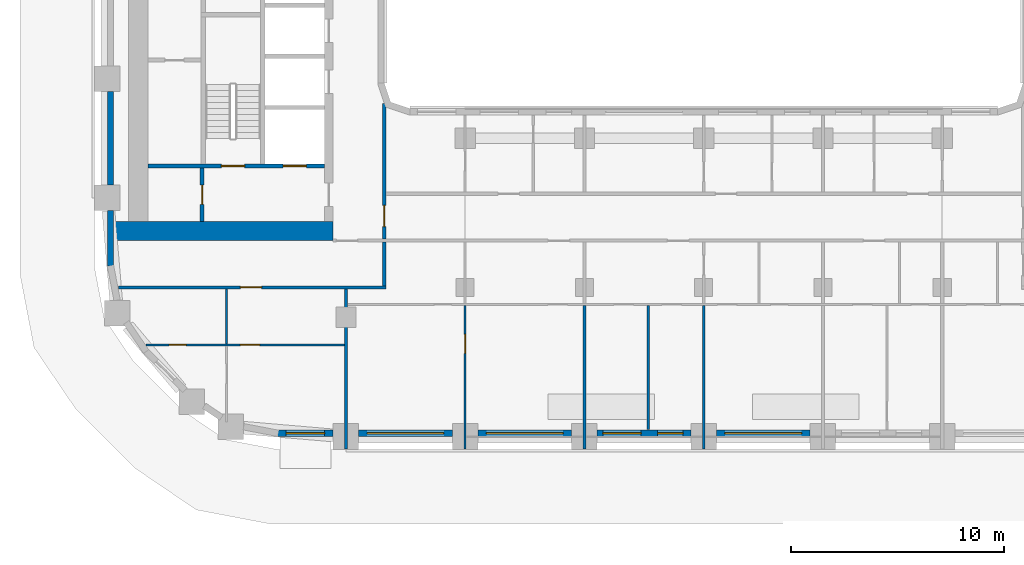
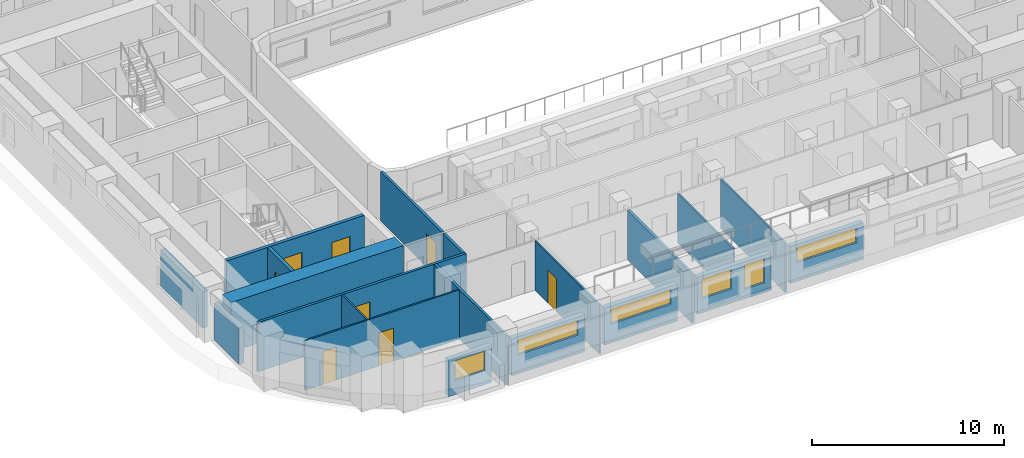
# One storey, part 3 of 18: 20 walls, 8 doors, 6 windows, 14 openings.
"""IFC4 building model written with IfcOpenShell, lengths in metres."""

from ifc_helpers import new_model, si_unit, direction, frame, frame_2d, origin, place, context, subcontext, project, spatial, rectangle, extrude, material, layer, layer_set, type_object, element, fill, save


model = new_model("IFC4")

# Units and contexts
model_context = context("Model", 3, precision=1e-05, world=origin(), true_north=direction((0.0, 1.0)))
body_context = subcontext(model_context, "Body", "Model", "MODEL_VIEW")
ifc_project = project(units=[si_unit("LENGTHUNIT", "METRE"), si_unit("AREAUNIT", "SQUARE_METRE"), si_unit("VOLUMEUNIT", "CUBIC_METRE"), si_unit("PLANEANGLEUNIT", "RADIAN"), si_unit("MASSUNIT", "GRAM", prefix="KILO")], contexts=[model_context])

# Site, building, storey
site_placement = place(None, origin())
site = spatial("IfcSite", under=ifc_project, at=site_placement, CompositionType="ELEMENT")
building_placement = place(site_placement, origin())
building = spatial("IfcBuilding", under=site, at=building_placement, Name="Kiln Ring Residences", CompositionType="ELEMENT")
storey_placement = place(building_placement, frame((0.0, 0.0, 121.800048828125)))
storey = spatial("IfcBuildingStorey", under=building, at=storey_placement, Name="L31", CompositionType="ELEMENT", Elevation=121.800048828125)

# Wall, opening, door
ifc_material_1 = material(Name="Gypsum board on steel studs", Category="steel")
ifc_layer_1 = layer(ifc_material_1, 0.199951171875)
ifc_layer_set_1 = layer_set([ifc_layer_1], Name="CORE-PARTITION-200")
wall_type_1 = type_object("IfcWallType", Name="CORE-PARTITION-200", PredefinedType="PARTITIONING", material=ifc_layer_set_1)
wall_1_placement = place(storey_placement, frame((-23.550048828125, -12.300048828125, 0.0), z_axis=(0.0, 0.0, 1.0), x_axis=(0.0, 1.0, 0.0)))
wall_1 = element("IfcWall", 1, at=wall_1_placement, inside=storey, type_object=wall_type_1, Name="Core partition west L31 4", PredefinedType="PARTITIONING", context=body_context, shape_type="SweptSolid", body=[
    extrude(rectangle(XDim=2.5, YDim=0.199951171875, at=frame_2d((1.25, 0.0))), origin(), (0.0, 0.0, 1.0), 3.14990234375),
])
opening_1_placement = place(wall_1_placement, frame((0.800048828125, 0.0, 0.0)))
opening_1 = element("IfcOpeningElement", 2, at=opening_1_placement, cuts=wall_1, Name="Opening L31-CW09", PredefinedType="OPENING", context=body_context, shape_type="SweptSolid", body=[
    extrude(rectangle(XDim=0.89990234375, YDim=2.10009765625, at=frame_2d((0.449951171875, 1.050048828125))), frame((0.0, 0.10986328125, 0.0), z_axis=(0.0, -1.0, 0.0), x_axis=(1.0, 0.0, 0.0)), (0.0, 0.0, 1.0), 0.219970703125),
])
ifc_material_2 = material(Name="Steel door leaf", Category="steel")
door_type_1 = type_object("IfcDoorType", Name="CORE-DOOR-ROOM", OperationType="SINGLE_SWING_LEFT", PredefinedType="DOOR", material=ifc_material_2)
door_1_placement = place(opening_1_placement, origin())
door_1 = element("IfcDoor", 3, at=door_1_placement, inside=storey, type_object=door_type_1, Name="Store L31-CW09", OperationType="SINGLE_SWING_LEFT", OverallHeight=2.10009765625, OverallWidth=0.89990234375, PredefinedType="DOOR", context=body_context, shape_type="SweptSolid", body=[
    extrude(rectangle(XDim=0.89990234375, YDim=2.10009765625, at=frame_2d((0.449951171875, 1.050048828125))), frame((0.0, 0.02490234375, 0.0), z_axis=(0.0, -1.0, 0.0), x_axis=(1.0, 0.0, 0.0)), (0.0, 0.0, 1.0), 0.050048828125),
])
fill(opening_1, door_1)

# Wall, openings, doors
ifc_material_3 = material(Name="Concrete C40/50", Category="concrete")
ifc_layer_2 = layer(ifc_material_3, 0.199951171875)
ifc_layer_set_2 = layer_set([ifc_layer_2], Name="CORE-WALL-RC200")
wall_type_2 = type_object("IfcWallType", Name="CORE-WALL-RC200", PredefinedType="SHEAR", material=ifc_layer_set_2)
wall_2_placement = place(storey_placement, frame((-17.800048828125, -9.699951171875, 0.0), z_axis=(0.0, 0.0, 1.0), x_axis=(-1.0, 0.0, 0.0)))
wall_2 = element("IfcWall", 4, at=wall_2_placement, inside=storey, type_object=wall_type_2, Name="Core wall west L31 8", PredefinedType="SHEAR", context=body_context, shape_type="SweptSolid", body=[
    extrude(rectangle(XDim=8.300048828125, YDim=0.199951171875, at=frame_2d((4.14990234375, 0.0))), origin(), (0.0, 0.0, 1.0), 3.14990234375),
])
opening_2_placement = place(wall_2_placement, frame((0.85009765625, 0.0, 0.0)))
opening_2 = element("IfcOpeningElement", 5, at=opening_2_placement, cuts=wall_2, Name="Opening L31-CW01", PredefinedType="OPENING", context=body_context, shape_type="SweptSolid", body=[
    extrude(rectangle(XDim=1.10009765625, YDim=2.10009765625, at=frame_2d((0.550048828125, 1.050048828125))), frame((0.0, 0.10986328125, 0.0), z_axis=(0.0, -1.0, 0.0), x_axis=(1.0, 0.0, 0.0)), (0.0, 0.0, 1.0), 0.219970703125),
])
opening_3_placement = place(wall_2_placement, frame((3.75, 0.0, 0.0)))
opening_3 = element("IfcOpeningElement", 6, at=opening_3_placement, cuts=wall_2, Name="Opening L31-CW11", PredefinedType="OPENING", context=body_context, shape_type="SweptSolid", body=[
    extrude(rectangle(XDim=1.10009765625, YDim=2.10009765625, at=frame_2d((0.550048828125, 1.050048828125))), frame((0.0, 0.10986328125, 0.0), z_axis=(0.0, -1.0, 0.0), x_axis=(1.0, 0.0, 0.0)), (0.0, 0.0, 1.0), 0.219970703125),
])
ifc_material_4 = material(Name="Steel door leaf", Category="steel")
door_type_2 = type_object("IfcDoorType", Name="CORE-DOOR-LD", OperationType="DOUBLE_DOOR_SLIDING", PredefinedType="DOOR", material=ifc_material_4)
door_2_placement = place(opening_2_placement, origin())
door_2 = element("IfcDoor", 7, at=door_2_placement, inside=storey, type_object=door_type_2, Name="LD W-SV L31-CW01", OperationType="DOUBLE_DOOR_SLIDING", OverallHeight=2.10009765625, OverallWidth=1.10009765625, PredefinedType="DOOR", context=body_context, shape_type="SweptSolid", body=[
    extrude(rectangle(XDim=1.10009765625, YDim=2.10009765625, at=frame_2d((0.550048828125, 1.050048828125))), frame((0.0, 0.02490234375, 0.0), z_axis=(0.0, -1.0, 0.0), x_axis=(1.0, 0.0, 0.0)), (0.0, 0.0, 1.0), 0.050048828125),
])
fill(opening_2, door_2)
ifc_material_5 = material(Name="Steel door leaf", Category="steel")
door_type_3 = type_object("IfcDoorType", Name="CORE-DOOR-STAIR", OperationType="SINGLE_SWING_LEFT", PredefinedType="DOOR", material=ifc_material_5)
door_3_placement = place(opening_3_placement, origin())
door_3 = element("IfcDoor", 8, at=door_3_placement, inside=storey, type_object=door_type_3, Name="Stair W-STS L31-CW11", OperationType="SINGLE_SWING_RIGHT", OverallHeight=2.10009765625, OverallWidth=1.10009765625, PredefinedType="DOOR", context=body_context, shape_type="SweptSolid", body=[
    extrude(rectangle(XDim=1.10009765625, YDim=2.10009765625, at=frame_2d((0.550048828125, 1.050048828125))), frame((0.0, 0.02490234375, 0.0), z_axis=(0.0, -1.0, 0.0), x_axis=(1.0, 0.0, 0.0)), (0.0, 0.0, 1.0), 0.050048828125),
])
fill(opening_3, door_3)

# Wall
ifc_material_6 = material(Name="Concrete C60/75", Category="concrete")
ifc_layer_3 = layer(ifc_material_6, 0.89990234375)
ifc_layer_set_3 = layer_set([ifc_layer_3], Name="CORE-WALL-RC900")
wall_type_3 = type_object("IfcWallType", Name="CORE-WALL-RC900", PredefinedType="SHEAR", material=ifc_layer_set_3)
wall_3_placement = place(storey_placement, frame((-17.39990234375, -12.75, 0.0), z_axis=(0.0, 0.0, 1.0), x_axis=(-1.0, 0.0, 0.0)))
element("IfcWall", 9, at=wall_3_placement, inside=storey, type_object=wall_type_3, Name="Core wall west L31 5", PredefinedType="SHEAR", context=body_context, shape_type="SweptSolid", body=[
    extrude(rectangle(XDim=10.400146484375, YDim=0.89990234375, at=frame_2d((5.2001953125, 0.0))), origin(), (0.0, 0.0, 1.0), 3.14990234375),
])

# Wall, opening, window
ifc_material_7 = material(Name="Brick masonry, dark clay brick", Category="masonry")
ifc_layer_4 = layer(ifc_material_7, 0.300048828125)
ifc_layer_set_4 = layer_set([ifc_layer_4], Name="EW-300 BRICK WALL")
wall_type_4 = type_object("IfcWallType", Name="EW-300 BRICK WALL", PredefinedType="SOLIDWALL", material=ifc_layer_set_4)
wall_4_placement = place(storey_placement, frame((-20.0, -22.25, 0.0), z_axis=(0.0, 0.0, 1.0), x_axis=(1.0, 0.0, 0.0)))
wall_4 = element("IfcWall", 10, at=wall_4_placement, inside=storey, type_object=wall_type_4, Name="Facade wall L31 4", PredefinedType="SOLIDWALL", context=body_context, shape_type="SweptSolid", body=[
    extrude(rectangle(XDim=2.60009765625, YDim=0.300048828125, at=frame_2d((1.300048828125, 0.0))), origin(), (0.0, 0.0, 1.0), 2.349853515625),
])
opening_4_placement = place(wall_4_placement, frame((0.39990234375, 0.0, 0.89990234375)))
opening_4 = element("IfcOpeningElement", 11, at=opening_4_placement, cuts=wall_4, Name="Opening W2", PredefinedType="OPENING", context=body_context, shape_type="SweptSolid", body=[
    extrude(rectangle(XDim=1.800048828125, YDim=1.25, at=frame_2d((0.89990234375, 0.625))), frame((0.0, 0.159912109375, 0.0), z_axis=(0.0, -1.0, 0.0), x_axis=(1.0, 0.0, 0.0)), (0.0, 0.0, 1.0), 0.320068359375),
])
ifc_material_8 = material(Name="Aluminium frame with double glazing", Category="aluminium")
window_type_1 = type_object("IfcWindowType", Name="WINDOW 1800 x 1250", PartitioningType="SINGLE_PANEL", PredefinedType="WINDOW", material=ifc_material_8)
window_1_placement = place(opening_4_placement, origin())
window_1 = element("IfcWindow", 12, at=window_1_placement, inside=storey, type_object=window_type_1, Name="Window L31 2", OverallHeight=1.25, OverallWidth=1.800048828125, PartitioningType="SINGLE_PANEL", PredefinedType="WINDOW", context=body_context, shape_type="SweptSolid", body=[
    extrude(rectangle(XDim=1.800048828125, YDim=1.25, at=frame_2d((0.89990234375, 0.625))), frame((0.0, 0.030029296875, 0.0), z_axis=(0.0, -1.0, 0.0), x_axis=(1.0, 0.0, 0.0)), (0.0, 0.0, 1.0), 0.06005859375),
])
fill(opening_4, window_1)

wall_5_placement = place(storey_placement, frame((-16.199951171875, -22.25, 0.0), z_axis=(0.0, 0.0, 1.0), x_axis=(1.0, 0.0, 0.0)))
wall_5 = element("IfcWall", 13, at=wall_5_placement, inside=storey, type_object=wall_type_4, Name="Facade wall L31 5", PredefinedType="SOLIDWALL", context=body_context, shape_type="SweptSolid", body=[
    extrude(rectangle(XDim=4.39990234375, YDim=0.300048828125, at=frame_2d((2.199951171875, 0.0))), origin(), (0.0, 0.0, 1.0), 2.349853515625),
])
opening_5_placement = place(wall_5_placement, frame((0.39990234375, 0.0, 1.199951171875)))
opening_5 = element("IfcOpeningElement", 14, at=opening_5_placement, cuts=wall_5, Name="Opening W4", PredefinedType="OPENING", context=body_context, shape_type="SweptSolid", body=[
    extrude(rectangle(XDim=3.60009765625, YDim=0.949951171875, at=frame_2d((1.800048828125, 0.47509765625))), frame((0.0, 0.159912109375, 0.0), z_axis=(0.0, -1.0, 0.0), x_axis=(1.0, 0.0, 0.0)), (0.0, 0.0, 1.0), 0.320068359375),
])
ifc_material_9 = material(Name="Aluminium frame with double glazing", Category="aluminium")
window_type_2 = type_object("IfcWindowType", Name="WINDOW 3600 x 950", PartitioningType="SINGLE_PANEL", PredefinedType="WINDOW", material=ifc_material_9)
window_2_placement = place(opening_5_placement, origin())
window_2 = element("IfcWindow", 15, at=window_2_placement, inside=storey, type_object=window_type_2, Name="Window L31 3", OverallHeight=0.949951171875, OverallWidth=3.60009765625, PartitioningType="SINGLE_PANEL", PredefinedType="WINDOW", context=body_context, shape_type="SweptSolid", body=[
    extrude(rectangle(XDim=3.60009765625, YDim=0.949951171875, at=frame_2d((1.800048828125, 0.47509765625))), frame((0.0, 0.030029296875, 0.0), z_axis=(0.0, -1.0, 0.0), x_axis=(1.0, 0.0, 0.0)), (0.0, 0.0, 1.0), 0.06005859375),
])
fill(opening_5, window_2)

wall_6_placement = place(storey_placement, frame((-10.60009765625, -22.25, 0.0), z_axis=(0.0, 0.0, 1.0), x_axis=(1.0, 0.0, 0.0)))
wall_6 = element("IfcWall", 16, at=wall_6_placement, inside=storey, type_object=wall_type_4, Name="Facade wall L31 6", PredefinedType="SOLIDWALL", context=body_context, shape_type="SweptSolid", body=[
    extrude(rectangle(XDim=4.400146484375, YDim=0.300048828125, at=frame_2d((2.2001953125, 0.0))), origin(), (0.0, 0.0, 1.0), 2.349853515625),
])
opening_6_placement = place(wall_6_placement, frame((0.39990234375, 0.0, 1.199951171875)))
opening_6 = element("IfcOpeningElement", 17, at=opening_6_placement, cuts=wall_6, Name="Opening W4", PredefinedType="OPENING", context=body_context, shape_type="SweptSolid", body=[
    extrude(rectangle(XDim=3.60009765625, YDim=0.949951171875, at=frame_2d((1.800048828125, 0.47509765625))), frame((0.0, 0.159912109375, 0.0), z_axis=(0.0, -1.0, 0.0), x_axis=(1.0, 0.0, 0.0)), (0.0, 0.0, 1.0), 0.320068359375),
])
window_3_placement = place(opening_6_placement, origin())
window_3 = element("IfcWindow", 18, at=window_3_placement, inside=storey, type_object=window_type_2, Name="Window L31 4", OverallHeight=0.949951171875, OverallWidth=3.60009765625, PartitioningType="SINGLE_PANEL", PredefinedType="WINDOW", context=body_context, shape_type="SweptSolid", body=[
    extrude(rectangle(XDim=3.60009765625, YDim=0.949951171875, at=frame_2d((1.800048828125, 0.47509765625))), frame((0.0, 0.030029296875, 0.0), z_axis=(0.0, -1.0, 0.0), x_axis=(1.0, 0.0, 0.0)), (0.0, 0.0, 1.0), 0.06005859375),
])
fill(opening_6, window_3)

# Wall, openings, windows
wall_7_placement = place(storey_placement, frame((-5.0, -22.25, 0.0), z_axis=(0.0, 0.0, 1.0), x_axis=(1.0, 0.0, 0.0)))
wall_7 = element("IfcWall", 19, at=wall_7_placement, inside=storey, type_object=wall_type_4, Name="Facade wall L31 7", PredefinedType="SOLIDWALL", context=body_context, shape_type="SweptSolid", body=[
    extrude(rectangle(XDim=4.39990234375, YDim=0.300048828125, at=frame_2d((2.199951171875, 0.0))), origin(), (0.0, 0.0, 1.0), 2.349853515625),
])
opening_7_placement = place(wall_7_placement, frame((0.262451171875, 0.0, 0.89990234375)))
opening_7 = element("IfcOpeningElement", 20, at=opening_7_placement, cuts=wall_7, Name="Opening W2", PredefinedType="OPENING", context=body_context, shape_type="SweptSolid", body=[
    extrude(rectangle(XDim=1.800048828125, YDim=1.25, at=frame_2d((0.89990234375, 0.625))), frame((0.0, 0.159912109375, 0.0), z_axis=(0.0, -1.0, 0.0), x_axis=(1.0, 0.0, 0.0)), (0.0, 0.0, 1.0), 0.320068359375),
])
opening_8_placement = place(wall_7_placement, frame((2.83740234375, 0.0, 0.60009765625)))
opening_8 = element("IfcOpeningElement", 21, at=opening_8_placement, cuts=wall_7, Name="Opening W1", PredefinedType="OPENING", context=body_context, shape_type="SweptSolid", body=[
    extrude(rectangle(XDim=1.199951171875, YDim=1.550048828125, at=frame_2d((0.60009765625, 0.77490234375))), frame((0.0, 0.159912109375, 0.0), z_axis=(0.0, -1.0, 0.0), x_axis=(1.0, 0.0, 0.0)), (0.0, 0.0, 1.0), 0.320068359375),
])
ifc_material_10 = material(Name="Aluminium frame with double glazing", Category="aluminium")
window_type_3 = type_object("IfcWindowType", Name="WINDOW 1200 x 1550", PartitioningType="SINGLE_PANEL", PredefinedType="WINDOW", material=ifc_material_10)
window_4_placement = place(opening_8_placement, origin())
window_4 = element("IfcWindow", 22, at=window_4_placement, inside=storey, type_object=window_type_3, Name="Window L31 6", OverallHeight=1.550048828125, OverallWidth=1.199951171875, PartitioningType="SINGLE_PANEL", PredefinedType="WINDOW", context=body_context, shape_type="SweptSolid", body=[
    extrude(rectangle(XDim=1.199951171875, YDim=1.550048828125, at=frame_2d((0.60009765625, 0.77490234375))), frame((0.0, 0.030029296875, 0.0), z_axis=(0.0, -1.0, 0.0), x_axis=(1.0, 0.0, 0.0)), (0.0, 0.0, 1.0), 0.06005859375),
])
fill(opening_8, window_4)
window_5_placement = place(opening_7_placement, origin())
window_5 = element("IfcWindow", 23, at=window_5_placement, inside=storey, type_object=window_type_1, Name="Window L31 5", OverallHeight=1.25, OverallWidth=1.800048828125, PartitioningType="SINGLE_PANEL", PredefinedType="WINDOW", context=body_context, shape_type="SweptSolid", body=[
    extrude(rectangle(XDim=1.800048828125, YDim=1.25, at=frame_2d((0.89990234375, 0.625))), frame((0.0, 0.030029296875, 0.0), z_axis=(0.0, -1.0, 0.0), x_axis=(1.0, 0.0, 0.0)), (0.0, 0.0, 1.0), 0.06005859375),
])
fill(opening_7, window_5)

# Wall, opening, window
wall_8_placement = place(storey_placement, frame((0.60009765625, -22.25, 0.0), z_axis=(0.0, 0.0, 1.0), x_axis=(1.0, 0.0, 0.0)))
wall_8 = element("IfcWall", 24, at=wall_8_placement, inside=storey, type_object=wall_type_4, Name="Facade wall L31 8", PredefinedType="SOLIDWALL", context=body_context, shape_type="SweptSolid", body=[
    extrude(rectangle(XDim=4.39990234375, YDim=0.300048828125, at=frame_2d((2.199951171875, 0.0))), origin(), (0.0, 0.0, 1.0), 2.349853515625),
])
opening_9_placement = place(wall_8_placement, frame((0.39990234375, 0.0, 1.199951171875)))
opening_9 = element("IfcOpeningElement", 25, at=opening_9_placement, cuts=wall_8, Name="Opening W4", PredefinedType="OPENING", context=body_context, shape_type="SweptSolid", body=[
    extrude(rectangle(XDim=3.60009765625, YDim=0.949951171875, at=frame_2d((1.800048828125, 0.47509765625))), frame((0.0, 0.159912109375, 0.0), z_axis=(0.0, -1.0, 0.0), x_axis=(1.0, 0.0, 0.0)), (0.0, 0.0, 1.0), 0.320068359375),
])
window_6_placement = place(opening_9_placement, origin())
window_6 = element("IfcWindow", 26, at=window_6_placement, inside=storey, type_object=window_type_2, Name="Window L31 7", OverallHeight=0.949951171875, OverallWidth=3.60009765625, PartitioningType="SINGLE_PANEL", PredefinedType="WINDOW", context=body_context, shape_type="SweptSolid", body=[
    extrude(rectangle(XDim=3.60009765625, YDim=0.949951171875, at=frame_2d((1.800048828125, 0.47509765625))), frame((0.0, 0.030029296875, 0.0), z_axis=(0.0, -1.0, 0.0), x_axis=(1.0, 0.0, 0.0)), (0.0, 0.0, 1.0), 0.06005859375),
])
fill(opening_9, window_6)

# Walls
wall_9_placement = place(storey_placement, frame((-27.85009765625, -6.199951171875, 0.0), z_axis=(0.0, 0.0, 1.0), x_axis=(0.0, -1.0, 0.0)))
element("IfcWall", 27, at=wall_9_placement, inside=storey, type_object=wall_type_4, Name="Facade wall L31 45", PredefinedType="SOLIDWALL", context=body_context, shape_type="SweptSolid", body=[
    extrude(rectangle(XDim=4.400146484375, YDim=0.300048828125, at=frame_2d((2.2001953125, 0.0))), origin(), (0.0, 0.0, 1.0), 2.349853515625),
])
wall_10_placement = place(storey_placement, frame((-27.85009765625, -11.800048828125, 0.0), z_axis=(0.0, 0.0, 1.0), x_axis=(0.0, -1.0, 0.0)))
element("IfcWall", 28, at=wall_10_placement, inside=storey, type_object=wall_type_4, Name="Facade wall L31 46", PredefinedType="SOLIDWALL", context=body_context, shape_type="SweptSolid", body=[
    extrude(rectangle(XDim=2.599853515625, YDim=0.300048828125, at=frame_2d((1.2998046875, 0.0))), origin(), (0.0, 0.0, 1.0), 2.349853515625),
])

# Wall, openings, doors
ifc_material_11 = material(Name="Gypsum board on steel studs", Category="steel")
ifc_layer_5 = layer(ifc_material_11, 0.10009765625)
ifc_layer_set_5 = layer_set([ifc_layer_5], Name="PARTITION-100")
wall_type_5 = type_object("IfcWallType", Name="PARTITION-100", PredefinedType="PARTITIONING", material=ifc_layer_set_5)
wall_11_placement = place(storey_placement, frame((-26.190185546875, -18.10009765625, 0.0), z_axis=(0.0, 0.0, 1.0), x_axis=(1.0, 0.0, 0.0)))
wall_11 = element("IfcWall", 29, at=wall_11_placement, inside=storey, type_object=wall_type_5, Name="Partition 000", PredefinedType="PARTITIONING", context=body_context, shape_type="SweptSolid", body=[
    extrude(rectangle(XDim=9.315185546875, YDim=0.10009765625, at=frame_2d((4.65771484375, 0.0))), origin(), (0.0, 0.0, 1.0), 3.14990234375),
])
opening_10_placement = place(wall_11_placement, frame((1.090087890625, 0.0, 0.0)))
opening_10 = element("IfcOpeningElement", 30, at=opening_10_placement, cuts=wall_11, Name="Opening L31-D074", PredefinedType="OPENING", context=body_context, shape_type="SweptSolid", body=[
    extrude(rectangle(XDim=0.800048828125, YDim=2.10009765625, at=frame_2d((0.39990234375, 1.050048828125))), frame((0.0, 0.06005859375, 0.0), z_axis=(0.0, -1.0, 0.0), x_axis=(1.0, 0.0, 0.0)), (0.0, 0.0, 1.0), 0.1201171875),
])
opening_11_placement = place(wall_11_placement, frame((4.440185546875, 0.0, 0.0)))
opening_11 = element("IfcOpeningElement", 31, at=opening_11_placement, cuts=wall_11, Name="Opening L31-D075", PredefinedType="OPENING", context=body_context, shape_type="SweptSolid", body=[
    extrude(rectangle(XDim=0.89990234375, YDim=2.10009765625, at=frame_2d((0.449951171875, 1.050048828125))), frame((0.0, 0.06005859375, 0.0), z_axis=(0.0, -1.0, 0.0), x_axis=(1.0, 0.0, 0.0)), (0.0, 0.0, 1.0), 0.1201171875),
])
ifc_material_12 = material(Name="Timber door leaf", Category="wood")
door_type_4 = type_object("IfcDoorType", Name="FLAT-DOOR-800-PL", OperationType="SINGLE_SWING_LEFT", PredefinedType="DOOR", material=ifc_material_12)
door_4_placement = place(opening_10_placement, origin())
door_4 = element("IfcDoor", 32, at=door_4_placement, inside=storey, type_object=door_type_4, Name="Door L31-D074", OperationType="SINGLE_SWING_RIGHT", OverallHeight=2.10009765625, OverallWidth=0.800048828125, PredefinedType="DOOR", context=body_context, shape_type="SweptSolid", body=[
    extrude(rectangle(XDim=0.800048828125, YDim=2.10009765625, at=frame_2d((0.39990234375, 1.050048828125))), frame((0.0, 0.02490234375, 0.0), z_axis=(0.0, -1.0, 0.0), x_axis=(1.0, 0.0, 0.0)), (0.0, 0.0, 1.0), 0.050048828125),
])
fill(opening_10, door_4)
ifc_material_13 = material(Name="Timber door leaf", Category="wood")
door_type_5 = type_object("IfcDoorType", Name="FLAT-DOOR-900-PL", OperationType="SINGLE_SWING_LEFT", PredefinedType="DOOR", material=ifc_material_13)
door_5_placement = place(opening_11_placement, origin())
door_5 = element("IfcDoor", 33, at=door_5_placement, inside=storey, type_object=door_type_5, Name="Door L31-D075", OperationType="SINGLE_SWING_LEFT", OverallHeight=2.10009765625, OverallWidth=0.89990234375, PredefinedType="DOOR", context=body_context, shape_type="SweptSolid", body=[
    extrude(rectangle(XDim=0.89990234375, YDim=2.10009765625, at=frame_2d((0.449951171875, 1.050048828125))), frame((0.0, 0.02490234375, 0.0), z_axis=(0.0, -1.0, 0.0), x_axis=(1.0, 0.0, 0.0)), (0.0, 0.0, 1.0), 0.050048828125),
])
fill(opening_11, door_5)

# Wall
wall_12_placement = place(storey_placement, frame((-22.39990234375, -18.050048828125, 0.0), z_axis=(0.0, 0.0, 1.0), x_axis=(0.0, 1.0, 0.0)))
element("IfcWall", 34, at=wall_12_placement, inside=storey, type_object=wall_type_5, Name="Partition 015", PredefinedType="PARTITIONING", context=body_context, shape_type="SweptSolid", body=[
    extrude(rectangle(XDim=2.574951171875, YDim=0.10009765625, at=frame_2d((1.28759765625, 0.0))), origin(), (0.0, 0.0, 1.0), 3.14990234375),
])

# Wall, opening, door
wall_13_placement = place(storey_placement, frame((-11.199951171875, -22.97998046875, 0.0), z_axis=(0.0, 0.0, 1.0), x_axis=(0.0, 1.0, 0.0)))
wall_13 = element("IfcWall", 35, at=wall_13_placement, inside=storey, type_object=wall_type_5, Name="Partition 025", PredefinedType="PARTITIONING", context=body_context, shape_type="SweptSolid", body=[
    extrude(rectangle(XDim=6.72998046875, YDim=0.10009765625, at=frame_2d((3.364990234375, 0.0))), origin(), (0.0, 0.0, 1.0), 3.14990234375),
])
opening_12_placement = place(wall_13_placement, frame((4.47998046875, 0.0, 0.0)))
opening_12 = element("IfcOpeningElement", 36, at=opening_12_placement, cuts=wall_13, Name="Opening L31-D055", PredefinedType="OPENING", context=body_context, shape_type="SweptSolid", body=[
    extrude(rectangle(XDim=0.89990234375, YDim=2.10009765625, at=frame_2d((0.449951171875, 1.050048828125))), frame((0.0, 0.06005859375, 0.0), z_axis=(0.0, -1.0, 0.0), x_axis=(1.0, 0.0, 0.0)), (0.0, 0.0, 1.0), 0.1201171875),
])
door_6_placement = place(opening_12_placement, origin())
door_6 = element("IfcDoor", 37, at=door_6_placement, inside=storey, type_object=door_type_5, Name="Door L31-D055", OperationType="SINGLE_SWING_LEFT", OverallHeight=2.10009765625, OverallWidth=0.89990234375, PredefinedType="DOOR", context=body_context, shape_type="SweptSolid", body=[
    extrude(rectangle(XDim=0.89990234375, YDim=2.10009765625, at=frame_2d((0.449951171875, 1.050048828125))), frame((0.0, 0.02490234375, 0.0), z_axis=(0.0, -1.0, 0.0), x_axis=(1.0, 0.0, 0.0)), (0.0, 0.0, 1.0), 0.050048828125),
])
fill(opening_12, door_6)

# Walls
wall_14_placement = place(storey_placement, frame((-2.60009765625, -22.080078125, 0.0), z_axis=(0.0, 0.0, 1.0), x_axis=(0.0, 1.0, 0.0)))
element("IfcWall", 38, at=wall_14_placement, inside=storey, type_object=wall_type_5, Name="Partition 040", PredefinedType="PARTITIONING", context=body_context, shape_type="SweptSolid", body=[
    extrude(rectangle(XDim=5.830078125, YDim=0.10009765625, at=frame_2d((2.9150390625, 0.0))), origin(), (0.0, 0.0, 1.0), 3.14990234375),
])
wall_15_placement = place(storey_placement, frame((0.0, -22.97998046875, 0.0), z_axis=(0.0, 0.0, 1.0), x_axis=(0.0, 1.0, 0.0)))
element("IfcWall", 39, at=wall_15_placement, inside=storey, type_object=wall_type_5, Name="Partition 041", PredefinedType="PARTITIONING", context=body_context, shape_type="SweptSolid", body=[
    extrude(rectangle(XDim=6.72998046875, YDim=0.10009765625, at=frame_2d((3.364990234375, 0.0))), origin(), (0.0, 0.0, 1.0), 3.14990234375),
])

# Wall, opening, door
ifc_material_14 = material(Name="Brick masonry partition", Category="masonry")
ifc_layer_6 = layer(ifc_material_14, 0.14990234375)
ifc_layer_set_6 = layer_set([ifc_layer_6], Name="PARTITION-150-ei60")
wall_type_6 = type_object("IfcWallType", Name="PARTITION-150-ei60", PredefinedType="PARTITIONING", material=ifc_layer_set_6)
wall_16_placement = place(storey_placement, frame((-27.48388671875, -15.39990234375, 0.0), z_axis=(0.0, 0.0, 1.0), x_axis=(1.0, 0.0, 0.0)))
wall_16 = element("IfcWall", 40, at=wall_16_placement, inside=storey, type_object=wall_type_6, Name="Partition 003", PredefinedType="PARTITIONING", context=body_context, shape_type="SweptSolid", body=[
    extrude(rectangle(XDim=12.558837890625, YDim=0.14990234375, at=frame_2d((6.279296875, 0.0))), origin(), (0.0, 0.0, 1.0), 3.14990234375),
])
opening_13_placement = place(wall_16_placement, frame((5.73388671875, 0.0, 0.0)))
opening_13 = element("IfcOpeningElement", 41, at=opening_13_placement, cuts=wall_16, Name="Opening L31-D073", PredefinedType="OPENING", context=body_context, shape_type="SweptSolid", body=[
    extrude(rectangle(XDim=1.0, YDim=2.10009765625, at=frame_2d((0.5, 1.050048828125))), frame((0.0, 0.0849609375, 0.0), z_axis=(0.0, -1.0, 0.0), x_axis=(1.0, 0.0, 0.0)), (0.0, 0.0, 1.0), 0.169921875),
])
ifc_material_15 = material(Name="Steel faced fire door leaf", Category="steel")
door_type_6 = type_object("IfcDoorType", Name="FLAT-DOOR-1000-FR", OperationType="SINGLE_SWING_LEFT", PredefinedType="DOOR", material=ifc_material_15)
door_7_placement = place(opening_13_placement, origin())
door_7 = element("IfcDoor", 42, at=door_7_placement, inside=storey, type_object=door_type_6, Name="Door L31-D073", OperationType="SINGLE_SWING_LEFT", OverallHeight=2.10009765625, OverallWidth=1.0, PredefinedType="DOOR", context=body_context, shape_type="SweptSolid", body=[
    extrude(rectangle(XDim=1.0, YDim=2.10009765625, at=frame_2d((0.5, 1.050048828125))), frame((0.0, 0.02490234375, 0.0), z_axis=(0.0, -1.0, 0.0), x_axis=(1.0, 0.0, 0.0)), (0.0, 0.0, 1.0), 0.050048828125),
])
fill(opening_13, door_7)

# Walls
wall_17_placement = place(storey_placement, frame((-16.800048828125, -22.97998046875, 0.0), z_axis=(0.0, 0.0, 1.0), x_axis=(0.0, 1.0, 0.0)))
element("IfcWall", 43, at=wall_17_placement, inside=storey, type_object=wall_type_6, Name="Partition 018", PredefinedType="PARTITIONING", context=body_context, shape_type="SweptSolid", body=[
    extrude(rectangle(XDim=7.5048828125, YDim=0.14990234375, at=frame_2d((3.75244140625, 0.0))), origin(), (0.0, 0.0, 1.0), 3.14990234375),
])
wall_18_placement = place(storey_placement, frame((-15.0, -15.324951171875, 0.0), z_axis=(0.0, 0.0, 1.0), x_axis=(0.0, 1.0, 0.0)))
element("IfcWall", 44, at=wall_18_placement, inside=storey, type_object=wall_type_6, Name="Partition 020", PredefinedType="PARTITIONING", context=body_context, shape_type="SweptSolid", body=[
    extrude(rectangle(XDim=2.050048828125, YDim=0.14990234375, at=frame_2d((1.02490234375, 0.0))), origin(), (0.0, 0.0, 1.0), 3.14990234375),
])

# Wall, opening, door
wall_19_placement = place(storey_placement, frame((-15.0, -13.125, 0.0), z_axis=(0.0, 0.0, 1.0), x_axis=(0.0, 1.0, 0.0)))
wall_19 = element("IfcWall", 45, at=wall_19_placement, inside=storey, type_object=wall_type_6, Name="Partition 021", PredefinedType="PARTITIONING", context=body_context, shape_type="SweptSolid", body=[
    extrude(rectangle(XDim=6.356201171875, YDim=0.14990234375, at=frame_2d((3.17822265625, 0.0))), origin(), (0.0, 0.0, 1.0), 3.14990234375),
])
opening_14_placement = place(wall_19_placement, frame((0.574951171875, 0.0, 0.0)))
opening_14 = element("IfcOpeningElement", 46, at=opening_14_placement, cuts=wall_19, Name="Opening L31-D005", PredefinedType="OPENING", context=body_context, shape_type="SweptSolid", body=[
    extrude(rectangle(XDim=1.0, YDim=2.10009765625, at=frame_2d((0.5, 1.050048828125))), frame((0.0, 0.0849609375, 0.0), z_axis=(0.0, -1.0, 0.0), x_axis=(1.0, 0.0, 0.0)), (0.0, 0.0, 1.0), 0.169921875),
])
door_8_placement = place(opening_14_placement, origin())
door_8 = element("IfcDoor", 47, at=door_8_placement, inside=storey, type_object=door_type_6, Name="Door L31-D005", OperationType="SINGLE_SWING_RIGHT", OverallHeight=2.10009765625, OverallWidth=1.0, PredefinedType="DOOR", context=body_context, shape_type="SweptSolid", body=[
    extrude(rectangle(XDim=1.0, YDim=2.10009765625, at=frame_2d((0.5, 1.050048828125))), frame((0.0, 0.02490234375, 0.0), z_axis=(0.0, -1.0, 0.0), x_axis=(1.0, 0.0, 0.0)), (0.0, 0.0, 1.0), 0.050048828125),
])
fill(opening_14, door_8)

# Wall
wall_20_placement = place(storey_placement, frame((-5.60009765625, -22.97998046875, 0.0), z_axis=(0.0, 0.0, 1.0), x_axis=(0.0, 1.0, 0.0)))
element("IfcWall", 48, at=wall_20_placement, inside=storey, type_object=wall_type_6, Name="Partition 034", PredefinedType="PARTITIONING", context=body_context, shape_type="SweptSolid", body=[
    extrude(rectangle(XDim=6.72998046875, YDim=0.14990234375, at=frame_2d((3.364990234375, 0.0))), origin(), (0.0, 0.0, 1.0), 3.14990234375),
])

save(model, "model.ifc")
